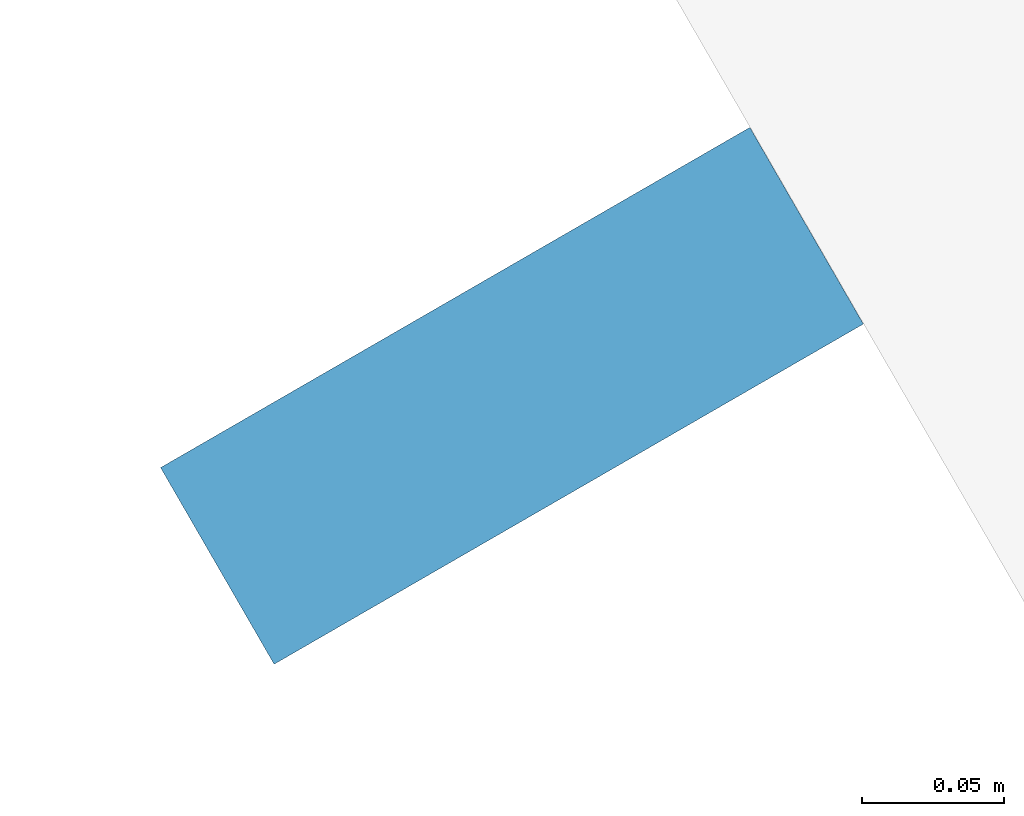
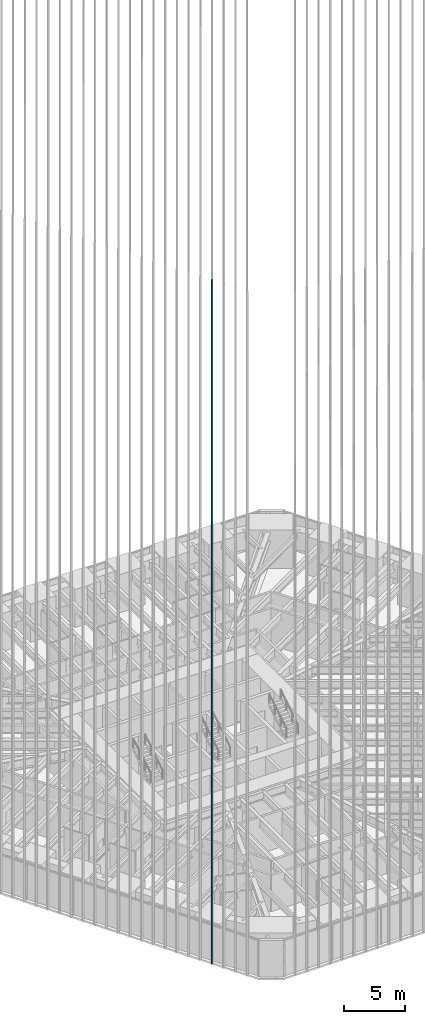
# One storey, part 24 of 256: 1 member, 1 element without a shape of its own.
"""IFC4 building model written with IfcOpenShell, lengths in metres."""

from ifc_helpers import new_model, si_unit, direction, frame, origin, origin_2d, place, context, subcontext, project, spatial, rectangle, extrude, material, material_profile, profile_set, type_object, element, aggregate, save


model = new_model("IFC4")

# Units and contexts
model_context = context("Model", 3, precision=1e-05, world=origin(), true_north=direction((0.0, 1.0)))
body_context = subcontext(model_context, "Body", "Model", "MODEL_VIEW")
ifc_project = project(units=[si_unit("LENGTHUNIT", "METRE"), si_unit("AREAUNIT", "SQUARE_METRE"), si_unit("VOLUMEUNIT", "CUBIC_METRE"), si_unit("PLANEANGLEUNIT", "RADIAN"), si_unit("MASSUNIT", "GRAM", prefix="KILO")], contexts=[model_context])

# Site, building, storey
site_placement = place(None, origin())
site = spatial("IfcSite", under=ifc_project, at=site_placement, CompositionType="ELEMENT")
building_placement = place(site_placement, origin())
building = spatial("IfcBuilding", under=site, at=building_placement, Name="Sandreach Pilgrim Tower", CompositionType="ELEMENT")
storey_placement = place(building_placement, frame((0.0, 0.0, 23.0)))
storey = spatial("IfcBuildingStorey", under=building, at=storey_placement, Name="L04", CompositionType="ELEMENT", Elevation=23.0)

# Curtain wall, member
ifc_material_1 = material(Name="Aluminium framed curtain wall", Category="aluminium")
curtain_wall_type = type_object("IfcCurtainWallType", Name="Hostel tower curtain wall", PredefinedType="NOTDEFINED", material=ifc_material_1)
curtain_wall_placement = place(storey_placement, origin())
curtain_wall = element("IfcCurtainWall", 1, at=curtain_wall_placement, inside=storey, type_object=curtain_wall_type, Name="CW-1 L04 SW", PredefinedType="NOTDEFINED")
ifc_material_2 = material(Name="Extruded terracotta on aluminium core", Category="masonry")
ifc_material_profile = material_profile(ifc_material_2, rectangle(XDim=0.080078125, YDim=0.239990234375, at=origin_2d()), Name="TBW 80X240")
ifc_profile_set = profile_set([ifc_material_profile], Name="Extruded terracotta on aluminium core")
member_type = type_object("IfcMemberType", Name="Terracotta baguette west", PredefinedType="USERDEFINED", material=ifc_profile_set)
member_placement = place(storey_placement, frame((-13.359375, -25.598388671875, 0.0), z_axis=(0.0, 0.0, 1.0), x_axis=(-0.5, 0.866025403784, 0.0)))
member = element("IfcMember", 2, at=member_placement, type_object=member_type, Name="Baguette Z1 SW04", ObjectType="BAGUETTE", PredefinedType="USERDEFINED", context=body_context, shape_type="SweptSolid", body=[
    extrude(rectangle(XDim=0.080078125, YDim=0.239990234375, at=origin_2d()), origin(), (0.0, 0.0, 1.0), 68.239990234375),
])
aggregate(curtain_wall, [member])

save(model, "model.ifc")
